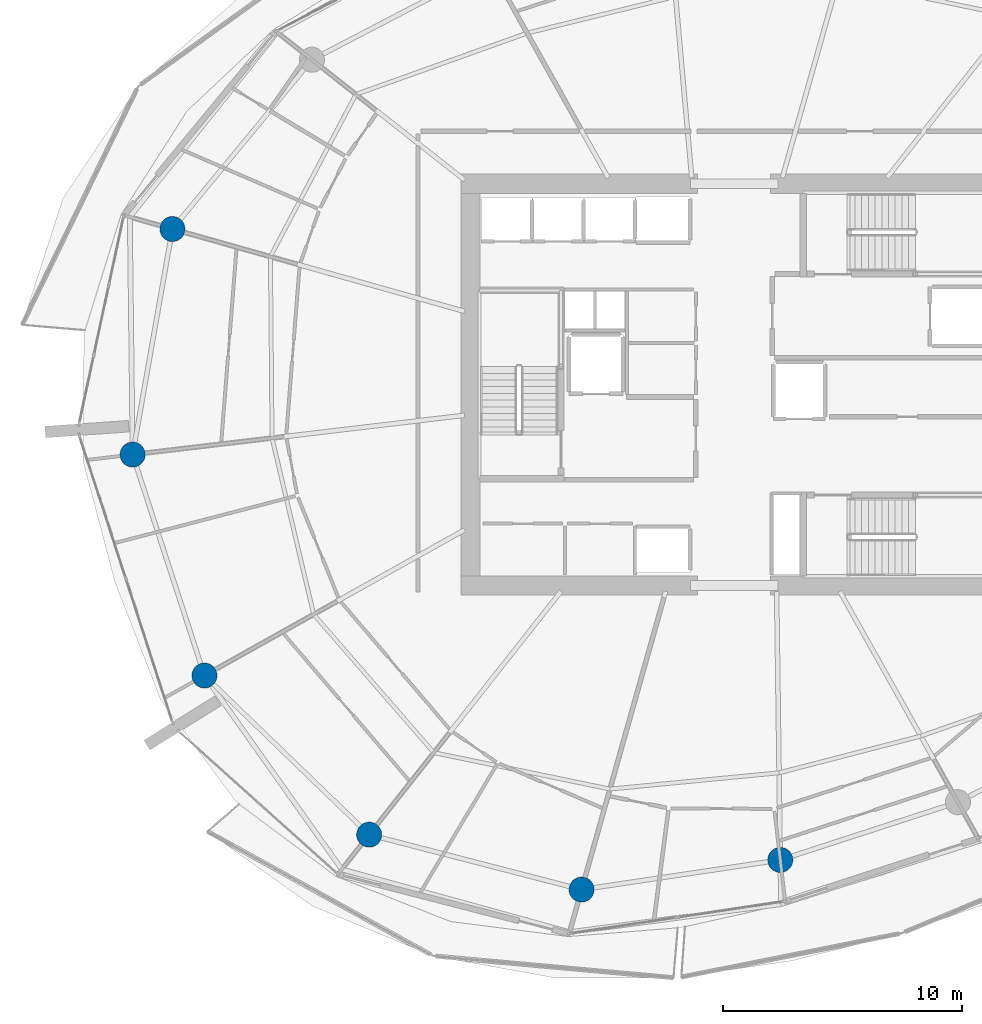
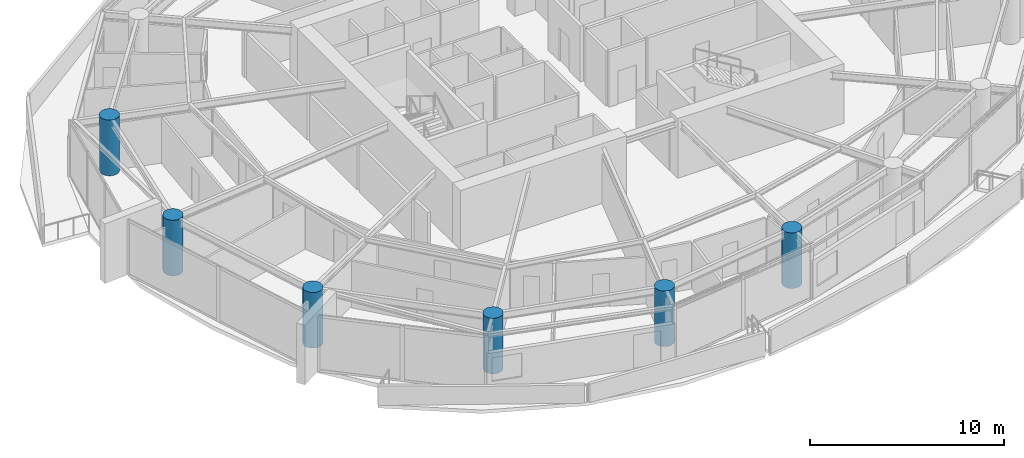
# One storey, part 1 of 20: 6 columns.
"""IFC4 building model written with IfcOpenShell, lengths in metres."""

from ifc_helpers import new_model, si_unit, direction, frame, origin, origin_2d, place, context, subcontext, project, spatial, circle, extrude, material, material_profile, profile_set, type_object, element, save


model = new_model("IFC4")

# Units and contexts
model_context = context("Model", 3, precision=1e-05, world=origin(), true_north=direction((0.0, 1.0)))
body_context = subcontext(model_context, "Body", "Model", "MODEL_VIEW")
ifc_project = project(units=[si_unit("LENGTHUNIT", "METRE"), si_unit("AREAUNIT", "SQUARE_METRE"), si_unit("VOLUMEUNIT", "CUBIC_METRE"), si_unit("PLANEANGLEUNIT", "RADIAN"), si_unit("MASSUNIT", "GRAM", prefix="KILO")], contexts=[model_context])

# Site, building, storey
site_placement = place(None, origin())
site = spatial("IfcSite", under=ifc_project, at=site_placement, CompositionType="ELEMENT")
building_placement = place(site_placement, origin())
building = spatial("IfcBuilding", under=site, at=building_placement, Name="Kazma Halo Residences", CompositionType="ELEMENT")
storey_placement = place(building_placement, frame((0.0, 0.0, 165.300048828125)))
storey = spatial("IfcBuildingStorey", under=building, at=storey_placement, Name="L41", CompositionType="ELEMENT", Elevation=165.300048828125)

# Columns
ifc_material = material(Name="Concrete C80/95", Category="concrete")
ifc_material_profile = material_profile(ifc_material, circle(Radius=0.52490234375, at=origin_2d()), Name="CIRC1050")
ifc_profile_set = profile_set([ifc_material_profile], Name="Concrete C80/95")
column_type = type_object("IfcColumnType", Name="COL-PERIM-1050", PredefinedType="COLUMN", material=ifc_profile_set)
for number, where, z_axis, x_axis, name in (
    (1, (24.93017578125, 48.50634765625, 0.0), (0.0, 0.0, 1.0), (1.0, 0.0, 0.0), "L41 perimeter ring column P07"),
    (2, (23.266845703125, 39.072509765625, 0.0), (0.0, 0.0, 1.0), (1.0, 0.0, 0.0), "L41 perimeter ring column P08"),
    (3, (26.269775390625, 29.83056640625, 0.0), (0.0, 0.0, 1.0), (1.0, 0.0, 0.0), "L41 perimeter ring column P09"),
    (4, (33.160400390625, 23.17626953125, 0.0), (0.0, 0.0, 1.0), (1.0, 0.0, 0.0), "L41 perimeter ring column P10"),
    (5, (42.04296875, 20.878173828125, 0.0), (0.0, 0.0, 1.0), (1.0, 0.0, 0.0), "L41 perimeter ring column P11"),
    (6, (50.35302734375, 22.118896484375, 0.0), (0.0, 0.0, 1.0), (1.0, 0.0, 0.0), "L41 perimeter ring column P12"),
):
    element("IfcColumn", number, at=place(storey_placement, frame(where, z_axis=z_axis, x_axis=x_axis)), inside=storey, type_object=column_type, Name=name, PredefinedType="COLUMN", context=body_context, shape_type="SweptSolid", body=[
        extrude(circle(Radius=0.52490234375, at=origin_2d()), origin(), (0.0, 0.0, 1.0), 3.5),
    ])

save(model, "model.ifc")
